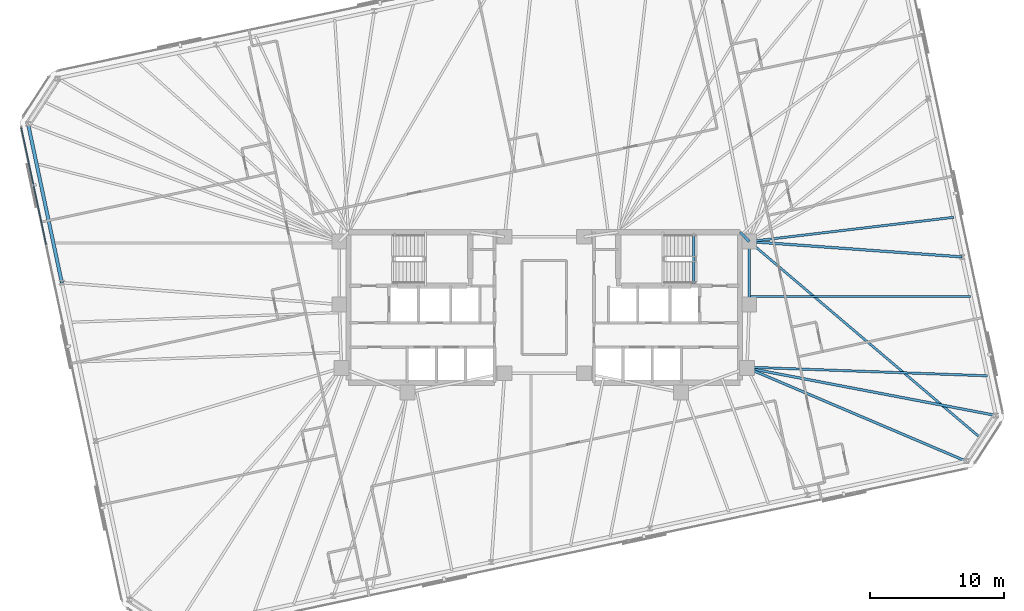
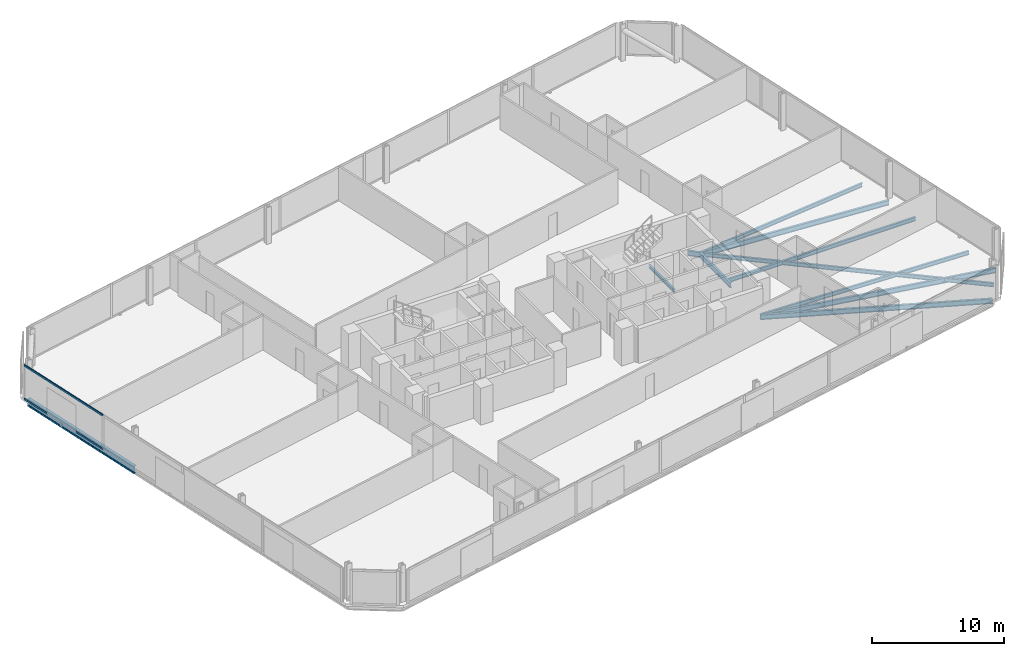
# One storey, part 8 of 19: 11 beams, 2 members, 1 element without a shape of its own.
"""IFC4 building model written with IfcOpenShell, lengths in metres."""

from ifc_helpers import new_model, si_unit, direction, frame, origin, origin_2d, place, context, subcontext, project, spatial, rectangle, i_section, extrude, material, material_profile, profile_set, type_object, element, aggregate, save


model = new_model("IFC4")

# Units and contexts
model_context = context("Model", 3, precision=1e-05, world=origin(), true_north=direction((0.0, 1.0)))
body_context = subcontext(model_context, "Body", "Model", "MODEL_VIEW")
ifc_project = project(units=[si_unit("LENGTHUNIT", "METRE"), si_unit("AREAUNIT", "SQUARE_METRE"), si_unit("VOLUMEUNIT", "CUBIC_METRE"), si_unit("PLANEANGLEUNIT", "RADIAN"), si_unit("MASSUNIT", "GRAM", prefix="KILO")], contexts=[model_context])

# Site, building, storey
site_placement = place(None, origin())
site = spatial("IfcSite", under=ifc_project, at=site_placement, CompositionType="ELEMENT")
building_placement = place(site_placement, origin())
building = spatial("IfcBuilding", under=site, at=building_placement, Name="Menara Jurai Vektor", CompositionType="ELEMENT")
storey_placement = place(building_placement, frame((0.0, 0.0, 171.800048828125)))
storey = spatial("IfcBuildingStorey", under=building, at=storey_placement, Name="L44", CompositionType="ELEMENT", Elevation=171.800048828125)

# Curtain wall, members
ifc_material_1 = material(Name="Anodised Pale Aluminium & Low-E Double Glazing", Category="aluminium")
curtain_wall_type = type_object("IfcCurtainWallType", Name="CW-BLK3", PredefinedType="NOTDEFINED", material=ifc_material_1)
curtain_wall_placement = place(storey_placement, origin())
curtain_wall = element("IfcCurtainWall", 1, at=curtain_wall_placement, inside=storey, type_object=curtain_wall_type, Name="Unitised Curtain Wall L44 F07", PredefinedType="NOTDEFINED")
ifc_material_2 = material(Name="Anodised Pale Aluminium Transom", Category="aluminium")
ifc_material_profile_1 = material_profile(ifc_material_2, rectangle(XDim=0.0849609375, YDim=0.175048828125, at=origin_2d()), Name="ALU TRN 85x175")
ifc_profile_set_1 = profile_set([ifc_material_profile_1], Name="Anodised Pale Aluminium Transom")
member_type = type_object("IfcMemberType", Name="CW-BLK3-TRN", PredefinedType="USERDEFINED", material=ifc_profile_set_1)
member_1_placement = place(storey_placement, frame((-38.896728515625, 13.378173828125, 0.04248046875), z_axis=(0.207899517354, -0.978150188204, 0.0), x_axis=(0.978150188204, 0.207899517354, 0.0)))
member_1 = element("IfcMember", 2, at=member_1_placement, type_object=member_type, Name="CW-03 transom 1.1", ObjectType="TRANSOM", PredefinedType="USERDEFINED", context=body_context, shape_type="SweptSolid", body=[
    extrude(rectangle(XDim=0.0849609375, YDim=0.175048828125, at=origin_2d()), origin(), (0.0, 0.0, 1.0), 8.882568359375),
])
member_2_placement = place(storey_placement, frame((-38.896728515625, 13.378173828125, 3.132568359375), z_axis=(0.207899517354, -0.978150188204, 0.0), x_axis=(0.978150188204, 0.207899517354, 0.0)))
member_2 = element("IfcMember", 3, at=member_2_placement, type_object=member_type, Name="CW-03 transom 1.2", ObjectType="TRANSOM", PredefinedType="USERDEFINED", context=body_context, shape_type="SweptSolid", body=[
    extrude(rectangle(XDim=0.0849609375, YDim=0.175048828125, at=origin_2d()), origin(), (0.0, 0.0, 1.0), 8.882568359375),
])
aggregate(curtain_wall, [member_1, member_2])

# Beams
ifc_material_3 = material(Name="Steel S355", Category="steel")
ifc_material_profile_2 = material_profile(ifc_material_3, i_section(OverallWidth=0.19091796875, OverallDepth=0.4599609375, WebThickness=0.010009765625, FlangeThickness=0.01611328125, FilletRadius=0.010009765625, at=origin_2d()), Name="UKB 457x191x82")
ifc_profile_set_2 = profile_set([ifc_material_profile_2], Name="Steel S355")
beam_type_1 = type_object("IfcBeamType", Name="STR-BM-457", PredefinedType="BEAM", material=ifc_profile_set_2)
beam_1_placement = place(storey_placement, frame((14.56005859375, 5.60009765625, -0.455078125), z_axis=(0.701871936926, -0.712303154672, 0.0), x_axis=(0.712303154672, 0.701871936926, 0.0)))
element("IfcBeam", 4, at=beam_1_placement, inside=storey, type_object=beam_type_1, Name="Core Ring Header Girder L44-CHE-N2", PredefinedType="BEAM", context=body_context, shape_type="SweptSolid", body=[
    extrude(i_section(OverallWidth=0.19091796875, OverallDepth=0.4599609375, WebThickness=0.010009765625, FlangeThickness=0.01611328125, FilletRadius=0.010009765625, at=origin_2d()), origin(), (0.0, 0.0, 1.0), 0.98291015625),
])
beam_2_placement = place(storey_placement, frame((15.25, 0.219970703125, -0.455078125), z_axis=(0.0, 1.0, 0.0), x_axis=(-1.0, 0.0, 0.0)))
element("IfcBeam", 5, at=beam_2_placement, inside=storey, type_object=beam_type_1, Name="Core Ring Header Girder L44-CHE-E1", PredefinedType="BEAM", context=body_context, shape_type="SweptSolid", body=[
    extrude(i_section(OverallWidth=0.19091796875, OverallDepth=0.4599609375, WebThickness=0.010009765625, FlangeThickness=0.01611328125, FilletRadius=0.010009765625, at=origin_2d()), origin(), (0.0, 0.0, 1.0), 4.679931640625),
])
beam_3_placement = place(storey_placement, frame((31.376220703125, -11.438720703125, -0.455078125), z_axis=(-0.920069342045, 0.391755543458, 0.0), x_axis=(-0.391755543458, -0.920069342045, 0.0)))
element("IfcBeam", 6, at=beam_3_placement, inside=storey, type_object=beam_type_1, Name="Radial Floor Girder L44-S6", PredefinedType="BEAM", context=body_context, shape_type="SweptSolid", body=[
    extrude(i_section(OverallWidth=0.19091796875, OverallDepth=0.4599609375, WebThickness=0.010009765625, FlangeThickness=0.01611328125, FilletRadius=0.010009765625, at=origin_2d()), origin(), (0.0, 0.0, 1.0), 17.7119140625),
])
beam_4_placement = place(storey_placement, frame((33.588623046875, -8.031982421875, -0.455078125), z_axis=(-0.982274660407, 0.187447303322, 0.0), x_axis=(-0.187447303322, -0.982274660407, 0.0)))
element("IfcBeam", 7, at=beam_4_placement, inside=storey, type_object=beam_type_1, Name="Radial Floor Girder L44-E1", PredefinedType="BEAM", context=body_context, shape_type="SweptSolid", body=[
    extrude(i_section(OverallWidth=0.19091796875, OverallDepth=0.4599609375, WebThickness=0.010009765625, FlangeThickness=0.01611328125, FilletRadius=0.010009765625, at=origin_2d()), origin(), (0.0, 0.0, 1.0), 18.842529296875),
])
beam_5_placement = place(storey_placement, frame((31.082763671875, 3.75634765625, -0.455078125), z_axis=(-0.997401783921, 0.072039443584, 0.0), x_axis=(-0.072039443584, -0.997401783921, 0.0)))
element("IfcBeam", 8, at=beam_5_placement, inside=storey, type_object=beam_type_1, Name="Radial Floor Girder L44-E2", PredefinedType="BEAM", context=body_context, shape_type="SweptSolid", body=[
    extrude(i_section(OverallWidth=0.19091796875, OverallDepth=0.4599609375, WebThickness=0.010009765625, FlangeThickness=0.01611328125, FilletRadius=0.010009765625, at=origin_2d()), origin(), (0.0, 0.0, 1.0), 15.8740234375),
])
ifc_material_profile_3 = material_profile(ifc_material_3, i_section(OverallWidth=0.172119140625, OverallDepth=0.35498046875, WebThickness=0.007080078125, FlangeThickness=0.011962890625, FilletRadius=0.010009765625, at=origin_2d()), Name="UKB 356x171x51")
ifc_profile_set_3 = profile_set([ifc_material_profile_3], Name="Steel S355")
beam_type_2 = type_object("IfcBeamType", Name="STR-JS-356", PredefinedType="JOIST", material=ifc_profile_set_3)
beam_6_placement = place(storey_placement, frame((32.482421875, -9.7353515625, -0.402587890625), z_axis=(-0.762207822165, 0.6473323998, 0.0), x_axis=(-0.6473323998, -0.762207822165, 0.0)))
element("IfcBeam", 9, at=beam_6_placement, inside=storey, type_object=beam_type_2, Name="Radial Secondary Floor Joist L44-JS10", PredefinedType="JOIST", context=body_context, shape_type="SweptSolid", body=[
    extrude(i_section(OverallWidth=0.172119140625, OverallDepth=0.35498046875, WebThickness=0.007080078125, FlangeThickness=0.011962890625, FilletRadius=0.010009765625, at=origin_2d()), origin(), (0.0, 0.0, 1.0), 22.608642578125),
])
beam_7_placement = place(storey_placement, frame((32.962158203125, -5.0849609375, -0.402587890625), z_axis=(-0.999351908775, 0.035996700238, 0.0), x_axis=(-0.035996700238, -0.999351908775, 0.0)))
element("IfcBeam", 10, at=beam_7_placement, inside=storey, type_object=beam_type_2, Name="Radial Secondary Floor Joist L44-JS11", PredefinedType="JOIST", context=body_context, shape_type="SweptSolid", body=[
    extrude(i_section(OverallWidth=0.172119140625, OverallDepth=0.35498046875, WebThickness=0.007080078125, FlangeThickness=0.011962890625, FilletRadius=0.010009765625, at=origin_2d()), origin(), (0.0, 0.0, 1.0), 17.8916015625),
])
beam_8_placement = place(storey_placement, frame((31.709228515625, 0.809326171875, -0.402587890625), z_axis=(-1.0, 0.0, 0.0), x_axis=(0.0, -1.0, 0.0)))
element("IfcBeam", 11, at=beam_8_placement, inside=storey, type_object=beam_type_2, Name="Radial Secondary Floor Joist L44-JS12", PredefinedType="JOIST", context=body_context, shape_type="SweptSolid", body=[
    extrude(i_section(OverallWidth=0.172119140625, OverallDepth=0.35498046875, WebThickness=0.007080078125, FlangeThickness=0.011962890625, FilletRadius=0.010009765625, at=origin_2d()), origin(), (0.0, 0.0, 1.0), 16.459228515625),
])
beam_9_placement = place(storey_placement, frame((30.456298828125, 6.70361328125, -0.402587890625), z_axis=(-0.993038492178, -0.11779029269, 0.0), x_axis=(0.11779029269, -0.993038492178, 0.0)))
element("IfcBeam", 12, at=beam_9_placement, inside=storey, type_object=beam_type_2, Name="Radial Secondary Floor Joist L44-JS13", PredefinedType="JOIST", context=body_context, shape_type="SweptSolid", body=[
    extrude(i_section(OverallWidth=0.172119140625, OverallDepth=0.35498046875, WebThickness=0.007080078125, FlangeThickness=0.011962890625, FilletRadius=0.010009765625, at=origin_2d()), origin(), (0.0, 0.0, 1.0), 15.31298828125),
])
ifc_material_profile_4 = material_profile(ifc_material_3, i_section(OverallWidth=0.1650390625, OverallDepth=0.302978515625, WebThickness=0.006103515625, FlangeThickness=0.010009765625, FilletRadius=0.009033203125, at=origin_2d()), Name="UKB 305x165x40")
ifc_profile_set_4 = profile_set([ifc_material_profile_4], Name="Steel S355")
beam_type_3 = type_object("IfcBeamType", Name="STR-LN-305", PredefinedType="LINTEL", material=ifc_profile_set_4)
beam_10_placement = place(storey_placement, frame((11.1201171875, 1.60009765625, -0.37646484375), z_axis=(0.0, 1.0, 0.0), x_axis=(-1.0, 0.0, 0.0)))
element("IfcBeam", 13, at=beam_10_placement, inside=storey, type_object=beam_type_3, Name="Stair Well Floor Trimmer ST2 L44", PredefinedType="LINTEL", context=body_context, shape_type="SweptSolid", body=[
    extrude(i_section(OverallWidth=0.1650390625, OverallDepth=0.302978515625, WebThickness=0.006103515625, FlangeThickness=0.010009765625, FilletRadius=0.009033203125, at=origin_2d()), origin(), (0.0, 0.0, 1.0), 3.81982421875),
])
ifc_material_4 = material(Name="Steel S460", Category="steel")
ifc_material_profile_5 = material_profile(ifc_material_4, i_section(OverallWidth=0.256103515625, OverallDepth=0.693115234375, WebThickness=0.013916015625, FlangeThickness=0.02392578125, FilletRadius=0.014892578125, at=origin_2d()), Name="UKB 686x254x170")
ifc_profile_set_5 = profile_set([ifc_material_profile_5], Name="Steel S460")
beam_type_4 = type_object("IfcBeamType", Name="STR-SP-686", PredefinedType="SPANDREL", material=ifc_profile_set_5)
beam_11_placement = place(storey_placement, frame((-38.388671875, 13.632080078125, -0.571533203125), z_axis=(0.207921262698, -0.978145566119, 0.0), x_axis=(0.978145566119, 0.207921262698, 0.0)))
element("IfcBeam", 14, at=beam_11_placement, inside=storey, type_object=beam_type_4, Name="Exoskeleton Spandrel Beam L44-17", PredefinedType="SPANDREL", context=body_context, shape_type="SweptSolid", body=[
    extrude(i_section(OverallWidth=0.256103515625, OverallDepth=0.693115234375, WebThickness=0.013916015625, FlangeThickness=0.02392578125, FilletRadius=0.014892578125, at=origin_2d()), origin(), (0.0, 0.0, 1.0), 12.052001953125),
])

save(model, "model.ifc")
